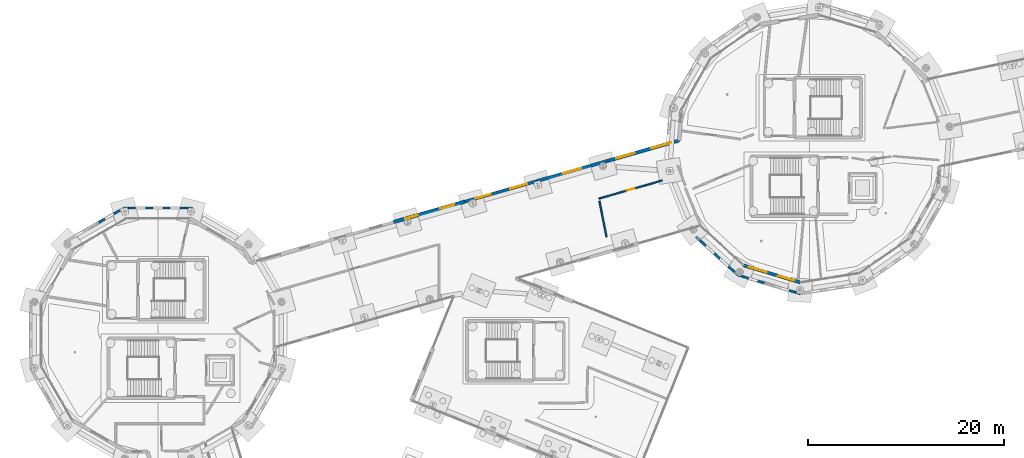
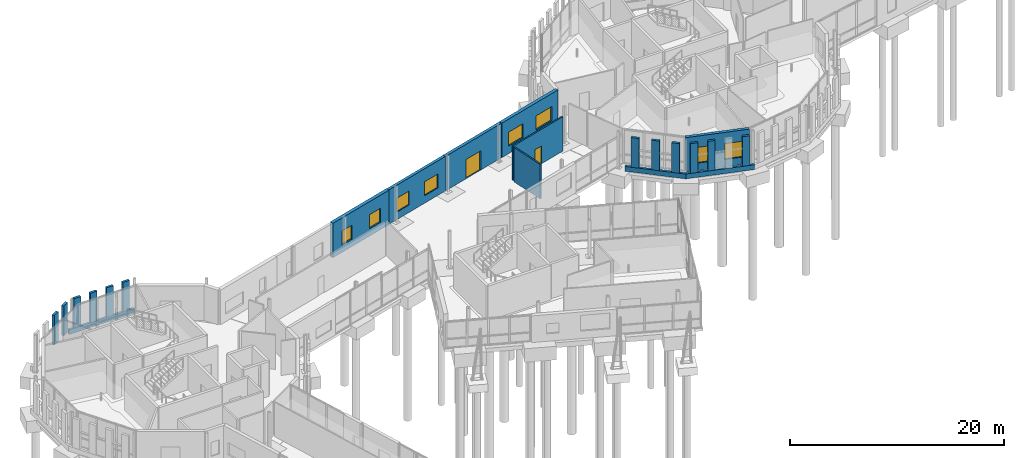
# One storey, part 85 of 113: 22 walls, 8 windows, 2 doors, 10 openings.
"""IFC4 building model written with IfcOpenShell, lengths in metres."""

from ifc_helpers import new_model, si_unit, direction, frame, frame_2d, origin, place, context, subcontext, project, spatial, rectangle, extrude, material, layer, layer_set, type_object, element, fill, save


model = new_model("IFC4")

# Units and contexts
model_context = context("Model", 3, precision=1e-05, world=origin(), true_north=direction((0.0, 1.0)))
body_context = subcontext(model_context, "Body", "Model", "MODEL_VIEW")
ifc_project = project(units=[si_unit("LENGTHUNIT", "METRE"), si_unit("AREAUNIT", "SQUARE_METRE"), si_unit("VOLUMEUNIT", "CUBIC_METRE"), si_unit("PLANEANGLEUNIT", "RADIAN"), si_unit("MASSUNIT", "GRAM", prefix="KILO")], contexts=[model_context])

# Site, building, storey
site_placement = place(None, origin())
site = spatial("IfcSite", under=ifc_project, at=site_placement, CompositionType="ELEMENT")
building_placement = place(site_placement, origin())
building = spatial("IfcBuilding", under=site, at=building_placement, Name="Wrenclough Park School", CompositionType="ELEMENT")
storey_placement = place(building_placement, origin())
storey = spatial("IfcBuildingStorey", under=building, at=storey_placement, Name="L00", CompositionType="ELEMENT", Elevation=0.0)

# Walls
ifc_material_1 = material(Name="Perforated open-bond Staffordshire and Manchester brick screen pier", Category="masonry")
ifc_layer_1 = layer(ifc_material_1, 0.2451171875)
ifc_layer_set_1 = layer_set([ifc_layer_1], Name="Perforated open-bond Staffordshire and Manchester brick screen pier")
wall_type_1 = type_object("IfcWallType", Name="ENV-BS-PR245", PredefinedType="ELEMENTEDWALL", material=ifc_layer_set_1)
for number, where, z_axis, x_axis, name in (
    (1, (19.509521484375, 102.45654296875, 0.550048828125), (0.0, 0.0, 1.0), (-1.0, 0.0, 0.0), "D3 L00 perforated brick screen pier 0085"),
    (2, (17.74951171875, 102.45654296875, 0.550048828125), (0.0, 0.0, 1.0), (-1.0, 0.0, 0.0), "D3 L00 perforated brick screen pier 0086"),
    (3, (15.989501953125, 102.45654296875, 0.550048828125), (0.0, 0.0, 1.0), (-1.0, 0.0, 0.0), "D3 L00 perforated brick screen pier 0087"),
    (4, (14.2294921875, 102.45654296875, 0.550048828125), (0.0, 0.0, 1.0), (-1.0, 0.0, 0.0), "D3 L00 perforated brick screen pier 0088"),
    (5, (12.6279296875, 102.2255859375, 0.550048828125), (0.0, 0.0, 1.0), (-0.865915952323, -0.500189527592, 0.0), "D3 L00 perforated brick screen pier 0089"),
):
    element("IfcWall", number, at=place(storey_placement, frame(where, z_axis=z_axis, x_axis=x_axis)), inside=storey, type_object=wall_type_1, Name=name, PredefinedType="ELEMENTEDWALL", context=body_context, shape_type="SweptSolid", body=[
        extrude(rectangle(XDim=0.739013671875, YDim=0.2451171875, at=frame_2d((0.36962890625, 0.0))), origin(), (0.0, 0.0, 1.0), 3.389892578125),
    ])
wall_1_placement = place(storey_placement, frame((11.103759765625, 101.345458984375, 0.550048828125), z_axis=(0.0, 0.0, 1.0), x_axis=(-0.866059033742, -0.499941746681, 0.0)))
element("IfcWall", 6, at=wall_1_placement, inside=storey, type_object=wall_type_1, Name="D3 L00 perforated brick screen pier 0090", PredefinedType="ELEMENTEDWALL", context=body_context, shape_type="SweptSolid", body=[
    extrude(rectangle(XDim=0.73876953125, YDim=0.2451171875, at=frame_2d((0.369384765625, 0.0))), origin(), (0.0, 0.0, 1.0), 3.389892578125),
])
wall_2_placement = place(storey_placement, frame((71.850830078125, 99.122314453125, 0.550048828125), z_axis=(0.0, 0.0, 1.0), x_axis=(0.738033381673, -0.674764201434, 0.0)))
element("IfcWall", 7, at=wall_2_placement, inside=storey, type_object=wall_type_1, Name="D4 L00 perforated brick screen pier 0119", PredefinedType="ELEMENTEDWALL", context=body_context, shape_type="SweptSolid", body=[
    extrude(rectangle(XDim=0.76025390625, YDim=0.2451171875, at=frame_2d((0.380126953125, 0.0))), origin(), (0.0, 0.0, 1.0), 3.389892578125),
])
wall_3_placement = place(storey_placement, frame((73.285888671875, 97.810546875, 0.550048828125), z_axis=(0.0, 0.0, 1.0), x_axis=(0.738047098779, -0.674749197839, 0.0)))
element("IfcWall", 8, at=wall_3_placement, inside=storey, type_object=wall_type_1, Name="D4 L00 perforated brick screen pier 0120", PredefinedType="ELEMENTEDWALL", context=body_context, shape_type="SweptSolid", body=[
    extrude(rectangle(XDim=0.759765625, YDim=0.2451171875, at=frame_2d((0.3798828125, 0.0))), origin(), (0.0, 0.0, 1.0), 3.389892578125),
])
wall_4_placement = place(storey_placement, frame((74.720703125, 96.4990234375, 0.550048828125), z_axis=(0.0, 0.0, 1.0), x_axis=(0.738033381673, -0.674764201434, 0.0)))
element("IfcWall", 9, at=wall_4_placement, inside=storey, type_object=wall_type_1, Name="D4 L00 perforated brick screen pier 0121", PredefinedType="ELEMENTEDWALL", context=body_context, shape_type="SweptSolid", body=[
    extrude(rectangle(XDim=0.76025390625, YDim=0.2451171875, at=frame_2d((0.380126953125, 0.0))), origin(), (0.0, 0.0, 1.0), 3.389892578125),
])
for number, where, z_axis, x_axis, name in (
    (10, (76.11279296875, 95.487060546875, 0.550048828125), (0.0, 0.0, 1.0), (0.957730379015, -0.287667379297, 0.0), "D4 L00 perforated brick screen pier 0122"),
    (11, (77.711181640625, 95.007080078125, 0.550048828125), (0.0, 0.0, 1.0), (0.957730379015, -0.287667379297, 0.0), "D4 L00 perforated brick screen pier 0123"),
    (12, (80.907958984375, 94.047119140625, 0.550048828125), (0.0, 0.0, 1.0), (0.957826285221, -0.287347885566, 0.0), "D4 L00 perforated brick screen pier 0125"),
):
    element("IfcWall", number, at=place(storey_placement, frame(where, z_axis=z_axis, x_axis=x_axis)), inside=storey, type_object=wall_type_1, Name=name, PredefinedType="ELEMENTEDWALL", context=body_context, shape_type="SweptSolid", body=[
        extrude(rectangle(XDim=0.700927734375, YDim=0.2451171875, at=frame_2d((0.3505859375, 0.0))), origin(), (0.0, 0.0, 1.0), 3.389892578125),
    ])
ifc_material_2 = material(Name="Open-bond Manchester multi-stock brick spandrel screen", Category="masonry")
ifc_layer_2 = layer(ifc_material_2, 0.22509765625)
ifc_layer_set_2 = layer_set([ifc_layer_2], Name="Open-bond Manchester multi-stock brick spandrel screen")
wall_type_2 = type_object("IfcWallType", Name="ENV-BS-SP225", PredefinedType="ELEMENTEDWALL", material=ifc_layer_set_2)
wall_5_placement = place(storey_placement, frame((20.02001953125, 102.45654296875, 0.0), z_axis=(0.0, 0.0, 1.0), x_axis=(-1.0, 0.0, 0.0)))
element("IfcWall", 13, at=wall_5_placement, inside=storey, type_object=wall_type_2, Name="D3 L00 open-bond brick screen spandrel 0022", PredefinedType="ELEMENTEDWALL", context=body_context, shape_type="SweptSolid", body=[
    extrude(rectangle(XDim=7.0400390625, YDim=0.22509765625, at=frame_2d((3.52001953125, 0.0))), origin(), (0.0, 0.0, 1.0), 0.550048828125),
])
wall_6_placement = place(storey_placement, frame((71.413818359375, 99.521484375, 0.0), z_axis=(0.0, 0.0, 1.0), x_axis=(0.73814554437, -0.674641501337, 0.0)))
element("IfcWall", 14, at=wall_6_placement, inside=storey, type_object=wall_type_2, Name="D4 L00 open-bond brick screen spandrel 0032", PredefinedType="ELEMENTEDWALL", context=body_context, shape_type="SweptSolid", body=[
    extrude(rectangle(XDim=5.83203125, YDim=0.22509765625, at=frame_2d((2.916015625, 0.0))), origin(), (0.0, 0.0, 1.0), 0.550048828125),
])
wall_7_placement = place(storey_placement, frame((75.649169921875, 95.626220703125, 0.0), z_axis=(0.0, 0.0, 1.0), x_axis=(0.957749751871, -0.287602873404, 0.0)))
element("IfcWall", 15, at=wall_7_placement, inside=storey, type_object=wall_type_2, Name="D4 L00 open-bond brick screen spandrel 0033", PredefinedType="ELEMENTEDWALL", context=body_context, shape_type="SweptSolid", body=[
    extrude(rectangle(XDim=6.675537109375, YDim=0.22509765625, at=frame_2d((3.337890625, 0.0))), origin(), (0.0, 0.0, 1.0), 0.550048828125),
])

# Wall, openings, windows
ifc_material_3 = material(Name="Manchester multi-stock brick and Concrete C32/40 inner leaf", Category="masonry")
ifc_layer_3 = layer(ifc_material_3, 0.300048828125)
ifc_layer_set_3 = layer_set([ifc_layer_3], Name="Manchester multi-stock brick and Concrete C32/40 inner leaf")
wall_type_3 = type_object("IfcWallType", Name="ENV-EW-300", PredefinedType="SOLIDWALL", material=ifc_layer_set_3)
wall_8_placement = place(storey_placement, frame((47.8427734375, 103.1142578125, 0.0), z_axis=(0.0, 0.0, 1.0), x_axis=(0.96152151514, 0.274729641506, 0.0)))
wall_8 = element("IfcWall", 16, at=wall_8_placement, inside=storey, type_object=wall_type_3, Name="L00 insulated brick external wall 0016", PredefinedType="SOLIDWALL", context=body_context, shape_type="SweptSolid", body=[
    extrude(rectangle(XDim=7.574951171875, YDim=0.300048828125, at=frame_2d((3.78759765625, 0.0))), origin(), (0.0, 0.0, 1.0), 3.93994140625),
])
opening_1_placement = place(wall_8_placement, frame((1.06884765625, 0.0, 0.85009765625)))
opening_1 = element("IfcOpeningElement", 17, at=opening_1_placement, cuts=wall_8, Name="Opening WN-18", PredefinedType="OPENING", context=body_context, shape_type="SweptSolid", body=[
    extrude(rectangle(XDim=1.64990234375, YDim=1.60009765625, at=frame_2d((0.824951171875, 0.800048828125))), frame((0.0, 0.159912109375, 0.0), z_axis=(0.0, -1.0, 0.0), x_axis=(1.0, 0.0, 0.0)), (0.0, 0.0, 1.0), 0.320068359375),
])
opening_2_placement = place(wall_8_placement, frame((4.78125, 0.0, 0.85009765625)))
opening_2 = element("IfcOpeningElement", 18, at=opening_2_placement, cuts=wall_8, Name="Opening WN-19", PredefinedType="OPENING", context=body_context, shape_type="SweptSolid", body=[
    extrude(rectangle(XDim=1.800048828125, YDim=1.60009765625, at=frame_2d((0.89990234375, 0.800048828125))), frame((0.0, 0.159912109375, 0.0), z_axis=(0.0, -1.0, 0.0), x_axis=(1.0, 0.0, 0.0)), (0.0, 0.0, 1.0), 0.320068359375),
])
ifc_material_4 = material(Name="Thermally broken aluminium and double-glazed low-e glass", Category="aluminium")
window_type_1 = type_object("IfcWindowType", Name="ENV-WN-18", PartitioningType="DOUBLE_PANEL_VERTICAL", PredefinedType="WINDOW", material=ifc_material_4)
window_1_placement = place(opening_1_placement, origin())
window_1 = element("IfcWindow", 19, at=window_1_placement, inside=storey, type_object=window_type_1, Name="L00 scheduled facade window 0017", OverallHeight=1.60009765625, OverallWidth=1.64990234375, PartitioningType="SINGLE_PANEL", PredefinedType="WINDOW", context=body_context, shape_type="SweptSolid", body=[
    extrude(rectangle(XDim=1.64990234375, YDim=1.60009765625, at=frame_2d((0.824951171875, 0.800048828125))), frame((0.0, 0.030029296875, 0.0), z_axis=(0.0, -1.0, 0.0), x_axis=(1.0, 0.0, 0.0)), (0.0, 0.0, 1.0), 0.06005859375),
])
fill(opening_1, window_1)
window_type_2 = type_object("IfcWindowType", Name="ENV-WN-19", PartitioningType="DOUBLE_PANEL_VERTICAL", PredefinedType="WINDOW", material=ifc_material_4)
window_2_placement = place(opening_2_placement, origin())
window_2 = element("IfcWindow", 20, at=window_2_placement, inside=storey, type_object=window_type_2, Name="L00 scheduled facade window 0018", OverallHeight=1.60009765625, OverallWidth=1.800048828125, PartitioningType="SINGLE_PANEL", PredefinedType="WINDOW", context=body_context, shape_type="SweptSolid", body=[
    extrude(rectangle(XDim=1.800048828125, YDim=1.60009765625, at=frame_2d((0.89990234375, 0.800048828125))), frame((0.0, 0.030029296875, 0.0), z_axis=(0.0, -1.0, 0.0), x_axis=(1.0, 0.0, 0.0)), (0.0, 0.0, 1.0), 0.06005859375),
])
fill(opening_2, window_2)

# Wall, opening, door
ifc_layer_4 = layer(ifc_material_3, 0.324951171875)
ifc_layer_set_4 = layer_set([ifc_layer_4], Name="Manchester multi-stock brick and Concrete C32/40 inner leaf")
wall_type_4 = type_object("IfcWallType", Name="ENV-EW-325", PredefinedType="SOLIDWALL", material=ifc_layer_set_4)
wall_9_placement = place(storey_placement, frame((55.126220703125, 105.1953125, 0.0), z_axis=(0.0, 0.0, 1.0), x_axis=(0.961523947641, 0.274721127897, 0.0)))
wall_9 = element("IfcWall", 21, at=wall_9_placement, inside=storey, type_object=wall_type_4, Name="L00 insulated brick external wall 0017", PredefinedType="SOLIDWALL", context=body_context, shape_type="SweptSolid", body=[
    extrude(rectangle(XDim=7.5751953125, YDim=0.324951171875, at=frame_2d((3.78759765625, 0.0))), origin(), (0.0, 0.0, 1.0), 3.93994140625),
])
opening_3_placement = place(wall_9_placement, frame((2.8076171875, 0.0, 0.0)))
opening_3 = element("IfcOpeningElement", 22, at=opening_3_placement, cuts=wall_9, Name="Opening EX-10", PredefinedType="OPENING", context=body_context, shape_type="SweptSolid", body=[
    extrude(rectangle(XDim=1.9599609375, YDim=2.199951171875, at=frame_2d((0.97998046875, 1.10009765625))), frame((0.0, 0.17236328125, 0.0), z_axis=(0.0, -1.0, 0.0), x_axis=(1.0, 0.0, 0.0)), (0.0, 0.0, 1.0), 0.344970703125),
])
ifc_material_5 = material(Name="Thermally broken powder-coated aluminium and laminated safety glass", Category="aluminium")
door_type_1 = type_object("IfcDoorType", Name="DR-EX196", OperationType="NOTDEFINED", PredefinedType="DOOR", material=ifc_material_5)
door_1_placement = place(opening_3_placement, origin())
door_1 = element("IfcDoor", 23, at=door_1_placement, inside=storey, type_object=door_type_1, Name="Pedestrian final exit door EX-10", OperationType="DOUBLE_DOOR_SINGLE_SWING", OverallHeight=2.199951171875, OverallWidth=1.9599609375, PredefinedType="DOOR", context=body_context, shape_type="SweptSolid", body=[
    extrude(rectangle(XDim=1.9599609375, YDim=2.199951171875, at=frame_2d((0.97998046875, 1.10009765625))), frame((0.0, 0.02490234375, 0.0), z_axis=(0.0, -1.0, 0.0), x_axis=(1.0, 0.0, 0.0)), (0.0, 0.0, 1.0), 0.050048828125),
])
fill(opening_3, door_1)

# Wall, openings, windows
wall_10_placement = place(storey_placement, frame((82.079833984375, 94.85400390625, 0.0), z_axis=(0.0, 0.0, 1.0), x_axis=(-0.957750075894, 0.28760179437, 0.0)))
wall_10 = element("IfcWall", 24, at=wall_10_placement, inside=storey, type_object=wall_type_4, Name="L00 insulated brick external wall 0065", PredefinedType="SOLIDWALL", context=body_context, shape_type="SweptSolid", body=[
    extrude(rectangle(XDim=6.08642578125, YDim=0.324951171875, at=frame_2d((3.043212890625, 0.0))), origin(), (0.0, 0.0, 1.0), 3.93994140625),
])
opening_4_placement = place(wall_10_placement, frame((0.646484375, 0.0, 0.85009765625)))
opening_4 = element("IfcOpeningElement", 25, at=opening_4_placement, cuts=wall_10, Name="Opening WN-30", PredefinedType="OPENING", context=body_context, shape_type="SweptSolid", body=[
    extrude(rectangle(XDim=1.75, YDim=1.800048828125, at=frame_2d((0.875, 0.89990234375))), frame((0.0, 0.17236328125, 0.0), z_axis=(0.0, -1.0, 0.0), x_axis=(1.0, 0.0, 0.0)), (0.0, 0.0, 1.0), 0.344970703125),
])
opening_5_placement = place(wall_10_placement, frame((3.614990234375, 0.0, 0.85009765625)))
opening_5 = element("IfcOpeningElement", 26, at=opening_5_placement, cuts=wall_10, Name="Opening WN-31", PredefinedType="OPENING", context=body_context, shape_type="SweptSolid", body=[
    extrude(rectangle(XDim=1.89990234375, YDim=1.800048828125, at=frame_2d((0.949951171875, 0.89990234375))), frame((0.0, 0.17236328125, 0.0), z_axis=(0.0, -1.0, 0.0), x_axis=(1.0, 0.0, 0.0)), (0.0, 0.0, 1.0), 0.344970703125),
])
window_type_3 = type_object("IfcWindowType", Name="ENV-WN-30", PartitioningType="DOUBLE_PANEL_VERTICAL", PredefinedType="WINDOW", material=ifc_material_4)
window_3_placement = place(opening_4_placement, origin())
window_3 = element("IfcWindow", 27, at=window_3_placement, inside=storey, type_object=window_type_3, Name="L00 scheduled facade window 0085", OverallHeight=1.800048828125, OverallWidth=1.75, PartitioningType="SINGLE_PANEL", PredefinedType="WINDOW", context=body_context, shape_type="SweptSolid", body=[
    extrude(rectangle(XDim=1.75, YDim=1.800048828125, at=frame_2d((0.875, 0.89990234375))), frame((0.0, 0.030029296875, 0.0), z_axis=(0.0, -1.0, 0.0), x_axis=(1.0, 0.0, 0.0)), (0.0, 0.0, 1.0), 0.06005859375),
])
fill(opening_4, window_3)
window_type_4 = type_object("IfcWindowType", Name="ENV-WN-31", PartitioningType="DOUBLE_PANEL_VERTICAL", PredefinedType="WINDOW", material=ifc_material_4)
window_4_placement = place(opening_5_placement, origin())
window_4 = element("IfcWindow", 28, at=window_4_placement, inside=storey, type_object=window_type_4, Name="L00 scheduled facade window 0086", OverallHeight=1.800048828125, OverallWidth=1.89990234375, PartitioningType="SINGLE_PANEL", PredefinedType="WINDOW", context=body_context, shape_type="SweptSolid", body=[
    extrude(rectangle(XDim=1.89990234375, YDim=1.800048828125, at=frame_2d((0.949951171875, 0.89990234375))), frame((0.0, 0.030029296875, 0.0), z_axis=(0.0, -1.0, 0.0), x_axis=(1.0, 0.0, 0.0)), (0.0, 0.0, 1.0), 0.06005859375),
])
fill(opening_5, window_4)

ifc_material_6 = material(Name="Staffordshire blue-grey brick and Concrete C35/45 inner leaf", Category="masonry")
ifc_layer_5 = layer(ifc_material_6, 0.35009765625)
ifc_layer_set_5 = layer_set([ifc_layer_5], Name="Staffordshire blue-grey brick and Concrete C35/45 inner leaf")
wall_type_5 = type_object("IfcWallType", Name="ENV-EW-350", PredefinedType="SOLIDWALL", material=ifc_layer_set_5)
wall_11_placement = place(storey_placement, frame((62.409912109375, 107.2763671875, 0.0), z_axis=(0.0, 0.0, 1.0), x_axis=(0.961523947641, 0.274721127897, 0.0)))
wall_11 = element("IfcWall", 29, at=wall_11_placement, inside=storey, type_object=wall_type_5, Name="L00 insulated brick external wall 0018", PredefinedType="SOLIDWALL", context=body_context, shape_type="SweptSolid", body=[
    extrude(rectangle(XDim=7.5751953125, YDim=0.35009765625, at=frame_2d((3.78759765625, 0.0))), origin(), (0.0, 0.0, 1.0), 3.93994140625),
])
opening_6_placement = place(wall_11_placement, frame((0.918701171875, 0.0, 0.85009765625)))
opening_6 = element("IfcOpeningElement", 30, at=opening_6_placement, cuts=wall_11, Name="Opening WN-20", PredefinedType="OPENING", context=body_context, shape_type="SweptSolid", body=[
    extrude(rectangle(XDim=1.949951171875, YDim=1.60009765625, at=frame_2d((0.97509765625, 0.800048828125))), frame((0.0, 0.18505859375, 0.0), z_axis=(0.0, -1.0, 0.0), x_axis=(1.0, 0.0, 0.0)), (0.0, 0.0, 1.0), 0.3701171875),
])
opening_7_placement = place(wall_11_placement, frame((4.63134765625, 0.0, 0.85009765625)))
opening_7 = element("IfcOpeningElement", 31, at=opening_7_placement, cuts=wall_11, Name="Opening WN-21", PredefinedType="OPENING", context=body_context, shape_type="SweptSolid", body=[
    extrude(rectangle(XDim=2.10009765625, YDim=1.60009765625, at=frame_2d((1.050048828125, 0.800048828125))), frame((0.0, 0.18505859375, 0.0), z_axis=(0.0, -1.0, 0.0), x_axis=(1.0, 0.0, 0.0)), (0.0, 0.0, 1.0), 0.3701171875),
])
window_type_5 = type_object("IfcWindowType", Name="ENV-WN-20", PartitioningType="DOUBLE_PANEL_VERTICAL", PredefinedType="WINDOW", material=ifc_material_4)
window_5_placement = place(opening_6_placement, origin())
window_5 = element("IfcWindow", 32, at=window_5_placement, inside=storey, type_object=window_type_5, Name="L00 scheduled facade window 0019", OverallHeight=1.60009765625, OverallWidth=1.949951171875, PartitioningType="SINGLE_PANEL", PredefinedType="WINDOW", context=body_context, shape_type="SweptSolid", body=[
    extrude(rectangle(XDim=1.949951171875, YDim=1.60009765625, at=frame_2d((0.97509765625, 0.800048828125))), frame((0.0, 0.030029296875, 0.0), z_axis=(0.0, -1.0, 0.0), x_axis=(1.0, 0.0, 0.0)), (0.0, 0.0, 1.0), 0.06005859375),
])
fill(opening_6, window_5)
window_type_6 = type_object("IfcWindowType", Name="ENV-WN-21", PartitioningType="DOUBLE_PANEL_VERTICAL", PredefinedType="WINDOW", material=ifc_material_4)
window_6_placement = place(opening_7_placement, origin())
window_6 = element("IfcWindow", 33, at=window_6_placement, inside=storey, type_object=window_type_6, Name="L00 scheduled facade window 0020", OverallHeight=1.60009765625, OverallWidth=2.10009765625, PartitioningType="SINGLE_PANEL", PredefinedType="WINDOW", context=body_context, shape_type="SweptSolid", body=[
    extrude(rectangle(XDim=2.10009765625, YDim=1.60009765625, at=frame_2d((1.050048828125, 0.800048828125))), frame((0.0, 0.030029296875, 0.0), z_axis=(0.0, -1.0, 0.0), x_axis=(1.0, 0.0, 0.0)), (0.0, 0.0, 1.0), 0.06005859375),
])
fill(opening_7, window_6)

ifc_material_7 = material(Name="Faceted courtyard brick-cavity wall Concrete C35/45", Category="masonry")
ifc_layer_6 = layer(ifc_material_7, 0.364990234375)
ifc_layer_set_6 = layer_set([ifc_layer_6], Name="Faceted courtyard brick-cavity wall Concrete C35/45")
wall_type_6 = type_object("IfcWallType", Name="ENV-EW-365", PredefinedType="SOLIDWALL", material=ifc_layer_set_6)
wall_12_placement = place(storey_placement, frame((40.55908203125, 101.033203125, 0.0), z_axis=(0.0, 0.0, 1.0), x_axis=(0.961523947641, 0.274721127897, 0.0)))
wall_12 = element("IfcWall", 34, at=wall_12_placement, inside=storey, type_object=wall_type_6, Name="L00 insulated brick external wall 0015", PredefinedType="SOLIDWALL", context=body_context, shape_type="SweptSolid", body=[
    extrude(rectangle(XDim=7.5751953125, YDim=0.364990234375, at=frame_2d((3.78759765625, 0.0))), origin(), (0.0, 0.0, 1.0), 3.93994140625),
])
opening_8_placement = place(wall_12_placement, frame((1.21875, 0.0, 0.85009765625)))
opening_8 = element("IfcOpeningElement", 35, at=opening_8_placement, cuts=wall_12, Name="Opening WN-16", PredefinedType="OPENING", context=body_context, shape_type="SweptSolid", body=[
    extrude(rectangle(XDim=1.35009765625, YDim=1.60009765625, at=frame_2d((0.675048828125, 0.800048828125))), frame((0.0, 0.1923828125, 0.0), z_axis=(0.0, -1.0, 0.0), x_axis=(1.0, 0.0, 0.0)), (0.0, 0.0, 1.0), 0.385009765625),
])
opening_9_placement = place(wall_12_placement, frame((4.931396484375, 0.0, 0.85009765625)))
opening_9 = element("IfcOpeningElement", 36, at=opening_9_placement, cuts=wall_12, Name="Opening WN-17", PredefinedType="OPENING", context=body_context, shape_type="SweptSolid", body=[
    extrude(rectangle(XDim=1.5, YDim=1.60009765625, at=frame_2d((0.75, 0.800048828125))), frame((0.0, 0.1923828125, 0.0), z_axis=(0.0, -1.0, 0.0), x_axis=(1.0, 0.0, 0.0)), (0.0, 0.0, 1.0), 0.385009765625),
])
window_type_7 = type_object("IfcWindowType", Name="ENV-WN-16", PartitioningType="SINGLE_PANEL", PredefinedType="WINDOW", material=ifc_material_4)
window_7_placement = place(opening_8_placement, origin())
window_7 = element("IfcWindow", 37, at=window_7_placement, inside=storey, type_object=window_type_7, Name="L00 scheduled facade window 0015", OverallHeight=1.60009765625, OverallWidth=1.35009765625, PartitioningType="SINGLE_PANEL", PredefinedType="WINDOW", context=body_context, shape_type="SweptSolid", body=[
    extrude(rectangle(XDim=1.35009765625, YDim=1.60009765625, at=frame_2d((0.675048828125, 0.800048828125))), frame((0.0, 0.030029296875, 0.0), z_axis=(0.0, -1.0, 0.0), x_axis=(1.0, 0.0, 0.0)), (0.0, 0.0, 1.0), 0.06005859375),
])
fill(opening_8, window_7)
window_type_8 = type_object("IfcWindowType", Name="ENV-WN-17", PartitioningType="DOUBLE_PANEL_VERTICAL", PredefinedType="WINDOW", material=ifc_material_4)
window_8_placement = place(opening_9_placement, origin())
window_8 = element("IfcWindow", 38, at=window_8_placement, inside=storey, type_object=window_type_8, Name="L00 scheduled facade window 0016", OverallHeight=1.60009765625, OverallWidth=1.5, PartitioningType="SINGLE_PANEL", PredefinedType="WINDOW", context=body_context, shape_type="SweptSolid", body=[
    extrude(rectangle(XDim=1.5, YDim=1.60009765625, at=frame_2d((0.75, 0.800048828125))), frame((0.0, 0.030029296875, 0.0), z_axis=(0.0, -1.0, 0.0), x_axis=(1.0, 0.0, 0.0)), (0.0, 0.0, 1.0), 0.06005859375),
])
fill(opening_9, window_8)

# Wall, opening, door
ifc_material_8 = material(Name="Protected corridor partition", Category="gypsum")
ifc_layer_7 = layer(ifc_material_8, 0.14990234375)
ifc_layer_set_7 = layer_set([ifc_layer_7], Name="Protected corridor partition")
wall_type_7 = type_object("IfcWallType", Name="INT-PW-150", PredefinedType="PARTITIONING", material=ifc_layer_set_7)
wall_13_placement = place(storey_placement, frame((67.95947265625, 105.267578125, 0.0), z_axis=(0.0, 0.0, 1.0), x_axis=(-0.961364732968, -0.27527776918, 0.0)))
wall_13 = element("IfcWall", 39, at=wall_13_placement, inside=storey, type_object=wall_type_7, Name="L00 internal partition 0153", PredefinedType="PARTITIONING", context=body_context, shape_type="SweptSolid", body=[
    extrude(rectangle(XDim=6.718994140625, YDim=0.14990234375, at=frame_2d((3.359375, 0.0))), origin(), (0.0, 0.0, 1.0), 3.929931640625),
])
opening_10_placement = place(wall_13_placement, frame((2.939453125, 0.0, 0.0)))
opening_10 = element("IfcOpeningElement", 40, at=opening_10_placement, cuts=wall_13, Name="Opening DR-L00-027", PredefinedType="OPENING", context=body_context, shape_type="SweptSolid", body=[
    extrude(rectangle(XDim=0.840087890625, YDim=2.0400390625, at=frame_2d((0.419921875, 1.02001953125))), frame((0.0, 0.0849609375, 0.0), z_axis=(0.0, -1.0, 0.0), x_axis=(1.0, 0.0, 0.0)), (0.0, 0.0, 1.0), 0.169921875),
])
ifc_material_9 = material(Name="Prep and store room fire door assembly", Category="wood")
door_type_2 = type_object("IfcDoorType", Name="INT-DR-STR084", OperationType="NOTDEFINED", PredefinedType="DOOR", material=ifc_material_9)
door_2_placement = place(opening_10_placement, origin())
door_2 = element("IfcDoor", 41, at=door_2_placement, inside=storey, type_object=door_type_2, Name="Kitchen Cold Store and Servery door DR-L00-027", OperationType="SINGLE_SWING_RIGHT", OverallHeight=2.0400390625, OverallWidth=0.840087890625, PredefinedType="DOOR", context=body_context, shape_type="SweptSolid", body=[
    extrude(rectangle(XDim=0.840087890625, YDim=2.0400390625, at=frame_2d((0.419921875, 1.02001953125))), frame((0.0, 0.02490234375, 0.0), z_axis=(0.0, -1.0, 0.0), x_axis=(1.0, 0.0, 0.0)), (0.0, 0.0, 1.0), 0.050048828125),
])
fill(opening_10, door_2)

# Wall
wall_14_placement = place(storey_placement, frame((61.549072265625, 103.173095703125, 0.0), z_axis=(0.0, 0.0, 1.0), x_axis=(0.196657271449, -0.980472293125, 0.0)))
element("IfcWall", 42, at=wall_14_placement, inside=storey, type_object=wall_type_7, Name="L00 internal partition 0154", PredefinedType="PARTITIONING", context=body_context, shape_type="SweptSolid", body=[
    extrude(rectangle(XDim=3.73046875, YDim=0.14990234375, at=frame_2d((1.865234375, 0.0))), origin(), (0.0, 0.0, 1.0), 3.929931640625),
])

save(model, "model.ifc")
